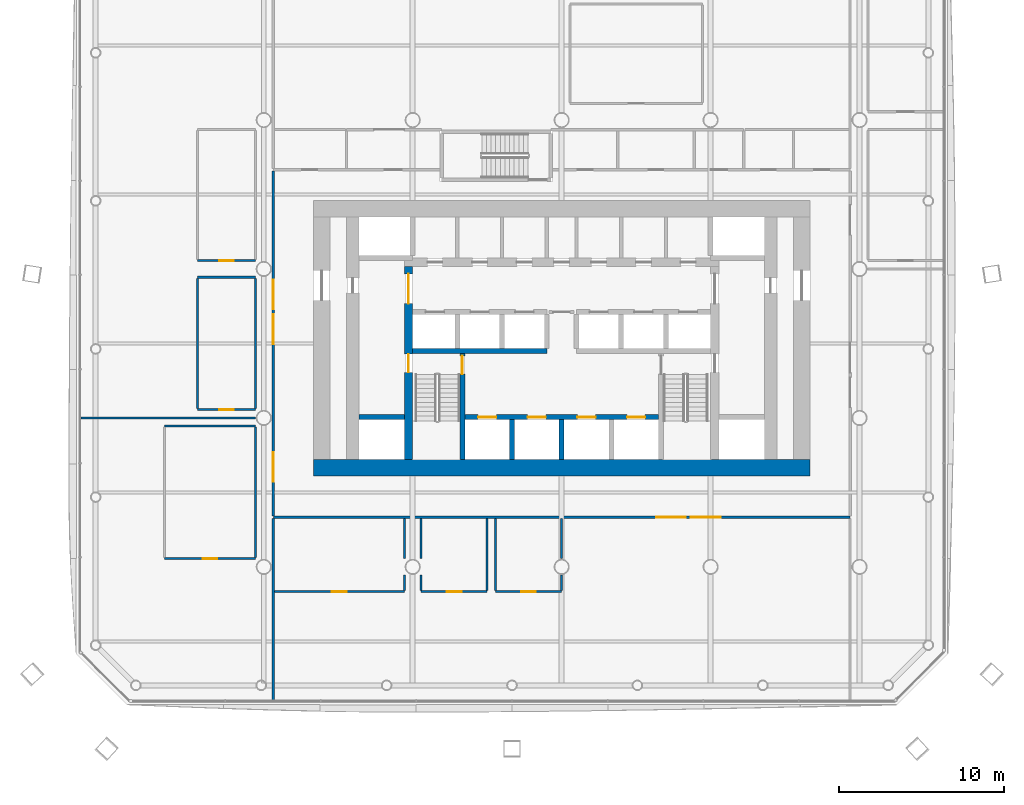
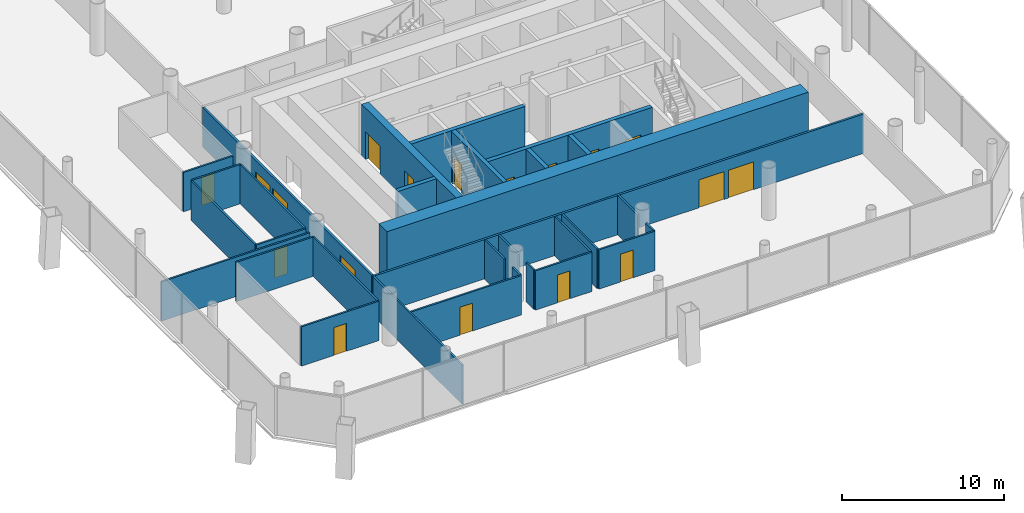
# One storey, part 12 of 20: 31 walls, 18 doors, 18 openings.
"""IFC4 building model written with IfcOpenShell, lengths in metres."""

from ifc_helpers import new_model, si_unit, direction, frame, frame_2d, origin, place, context, subcontext, project, spatial, rectangle, extrude, material, layer, layer_set, type_object, element, fill, save


model = new_model("IFC4")

# Units and contexts
model_context = context("Model", 3, precision=1e-05, world=origin(), true_north=direction((0.0, 1.0)))
body_context = subcontext(model_context, "Body", "Model", "MODEL_VIEW")
ifc_project = project(units=[si_unit("LENGTHUNIT", "METRE"), si_unit("AREAUNIT", "SQUARE_METRE"), si_unit("VOLUMEUNIT", "CUBIC_METRE"), si_unit("PLANEANGLEUNIT", "RADIAN"), si_unit("MASSUNIT", "GRAM", prefix="KILO")], contexts=[model_context])

# Site, building, storey
site_placement = place(None, origin())
site = spatial("IfcSite", under=ifc_project, at=site_placement, CompositionType="ELEMENT")
building_placement = place(site_placement, origin())
building = spatial("IfcBuilding", under=site, at=building_placement, Name="Tskaro Facet Tower", CompositionType="ELEMENT")
storey_placement = place(building_placement, frame((0.0, 0.0, 49.800048828125)))
storey = spatial("IfcBuildingStorey", under=building, at=storey_placement, Name="L11", CompositionType="ELEMENT", Elevation=49.800048828125)

# Wall
ifc_material_1 = material(Name="Concrete C60/75", Category="concrete")
ifc_layer_1 = layer(ifc_material_1, 0.300048828125, Name="Concrete C60/75")
ifc_layer_set_1 = layer_set([ifc_layer_1], Name="Concrete C60/75")
wall_type_1 = type_object("IfcWallType", Name="CORE-SHAFT", PredefinedType="SHEAR", material=ifc_layer_set_1)
wall_1_placement = place(storey_placement, frame((-12.25, -8.949951171875, 0.0), z_axis=(0.0, 0.0, 1.0), x_axis=(1.0, 0.0, 0.0)))
element("IfcWall", 1, at=wall_1_placement, inside=storey, type_object=wall_type_1, Name="Shaft wall W008", PredefinedType="SHEAR", context=body_context, shape_type="SweptSolid", body=[
    extrude(rectangle(XDim=2.75, YDim=0.300048828125, at=frame_2d((1.375, 0.0))), origin(), (0.0, 0.0, 1.0), 3.89990234375),
])

# Wall, openings, doors
wall_2_placement = place(storey_placement, frame((-5.85009765625, -8.949951171875, 0.0), z_axis=(0.0, 0.0, 1.0), x_axis=(1.0, 0.0, 0.0)))
wall_2 = element("IfcWall", 2, at=wall_2_placement, inside=storey, type_object=wall_type_1, Name="Shaft wall W009", PredefinedType="SHEAR", context=body_context, shape_type="SweptSolid", body=[
    extrude(rectangle(XDim=11.7001953125, YDim=0.300048828125, at=frame_2d((5.85009765625, 0.0))), origin(), (0.0, 0.0, 1.0), 3.89990234375),
])
opening_1_placement = place(wall_2_placement, frame((0.800048828125, 0.0, 0.0)))
opening_1 = element("IfcOpeningElement", 3, at=opening_1_placement, cuts=wall_2, Name="Opening LD-FF1", PredefinedType="OPENING", context=body_context, shape_type="SweptSolid", body=[
    extrude(rectangle(XDim=1.10009765625, YDim=2.10009765625, at=frame_2d((0.550048828125, 1.050048828125))), frame((0.0, 0.159912109375, 0.0), z_axis=(0.0, -1.0, 0.0), x_axis=(1.0, 0.0, 0.0)), (0.0, 0.0, 1.0), 0.320068359375),
])
opening_2_placement = place(wall_2_placement, frame((3.800048828125, 0.0, 0.0)))
opening_2 = element("IfcOpeningElement", 4, at=opening_2_placement, cuts=wall_2, Name="Opening LD-FF2", PredefinedType="OPENING", context=body_context, shape_type="SweptSolid", body=[
    extrude(rectangle(XDim=1.10009765625, YDim=2.10009765625, at=frame_2d((0.550048828125, 1.050048828125))), frame((0.0, 0.159912109375, 0.0), z_axis=(0.0, -1.0, 0.0), x_axis=(1.0, 0.0, 0.0)), (0.0, 0.0, 1.0), 0.320068359375),
])
opening_3_placement = place(wall_2_placement, frame((6.800048828125, 0.0, 0.0)))
opening_3 = element("IfcOpeningElement", 5, at=opening_3_placement, cuts=wall_2, Name="Opening LD-SV1", PredefinedType="OPENING", context=body_context, shape_type="SweptSolid", body=[
    extrude(rectangle(XDim=1.10009765625, YDim=2.10009765625, at=frame_2d((0.550048828125, 1.050048828125))), frame((0.0, 0.159912109375, 0.0), z_axis=(0.0, -1.0, 0.0), x_axis=(1.0, 0.0, 0.0)), (0.0, 0.0, 1.0), 0.320068359375),
])
opening_4_placement = place(wall_2_placement, frame((9.800048828125, 0.0, 0.0)))
opening_4 = element("IfcOpeningElement", 6, at=opening_4_placement, cuts=wall_2, Name="Opening LD-SV2", PredefinedType="OPENING", context=body_context, shape_type="SweptSolid", body=[
    extrude(rectangle(XDim=1.10009765625, YDim=2.10009765625, at=frame_2d((0.550048828125, 1.050048828125))), frame((0.0, 0.159912109375, 0.0), z_axis=(0.0, -1.0, 0.0), x_axis=(1.0, 0.0, 0.0)), (0.0, 0.0, 1.0), 0.320068359375),
])
ifc_material_2 = material(Name="Stainless steel", Category="steel")
door_type_1 = type_object("IfcDoorType", Name="D-LANDING", OperationType="NOTDEFINED", PredefinedType="DOOR", material=ifc_material_2)
door_1_placement = place(opening_1_placement, origin())
door_1 = element("IfcDoor", 7, at=door_1_placement, inside=storey, type_object=door_type_1, Name="Landing door FF1", OperationType="DOUBLE_DOOR_SLIDING", OverallHeight=2.10009765625, OverallWidth=1.10009765625, PredefinedType="DOOR", context=body_context, shape_type="SweptSolid", body=[
    extrude(rectangle(XDim=1.10009765625, YDim=2.10009765625, at=frame_2d((0.550048828125, 1.050048828125))), frame((0.0, 0.02490234375, 0.0), z_axis=(0.0, -1.0, 0.0), x_axis=(1.0, 0.0, 0.0)), (0.0, 0.0, 1.0), 0.050048828125),
])
fill(opening_1, door_1)
door_2_placement = place(opening_2_placement, origin())
door_2 = element("IfcDoor", 8, at=door_2_placement, inside=storey, type_object=door_type_1, Name="Landing door FF2", OperationType="DOUBLE_DOOR_SLIDING", OverallHeight=2.10009765625, OverallWidth=1.10009765625, PredefinedType="DOOR", context=body_context, shape_type="SweptSolid", body=[
    extrude(rectangle(XDim=1.10009765625, YDim=2.10009765625, at=frame_2d((0.550048828125, 1.050048828125))), frame((0.0, 0.02490234375, 0.0), z_axis=(0.0, -1.0, 0.0), x_axis=(1.0, 0.0, 0.0)), (0.0, 0.0, 1.0), 0.050048828125),
])
fill(opening_2, door_2)
door_3_placement = place(opening_3_placement, origin())
door_3 = element("IfcDoor", 9, at=door_3_placement, inside=storey, type_object=door_type_1, Name="Landing door SV1", OperationType="DOUBLE_DOOR_SLIDING", OverallHeight=2.10009765625, OverallWidth=1.10009765625, PredefinedType="DOOR", context=body_context, shape_type="SweptSolid", body=[
    extrude(rectangle(XDim=1.10009765625, YDim=2.10009765625, at=frame_2d((0.550048828125, 1.050048828125))), frame((0.0, 0.02490234375, 0.0), z_axis=(0.0, -1.0, 0.0), x_axis=(1.0, 0.0, 0.0)), (0.0, 0.0, 1.0), 0.050048828125),
])
fill(opening_3, door_3)
door_4_placement = place(opening_4_placement, origin())
door_4 = element("IfcDoor", 10, at=door_4_placement, inside=storey, type_object=door_type_1, Name="Landing door SV2", OperationType="DOUBLE_DOOR_SLIDING", OverallHeight=2.10009765625, OverallWidth=1.10009765625, PredefinedType="DOOR", context=body_context, shape_type="SweptSolid", body=[
    extrude(rectangle(XDim=1.10009765625, YDim=2.10009765625, at=frame_2d((0.550048828125, 1.050048828125))), frame((0.0, 0.02490234375, 0.0), z_axis=(0.0, -1.0, 0.0), x_axis=(1.0, 0.0, 0.0)), (0.0, 0.0, 1.0), 0.050048828125),
])
fill(opening_4, door_4)

# Wall
wall_3_placement = place(storey_placement, frame((-9.0, -4.949951171875, 0.0), z_axis=(0.0, 0.0, 1.0), x_axis=(1.0, 0.0, 0.0)))
element("IfcWall", 11, at=wall_3_placement, inside=storey, type_object=wall_type_1, Name="Shaft wall W012", PredefinedType="SHEAR", context=body_context, shape_type="SweptSolid", body=[
    extrude(rectangle(XDim=8.10009765625, YDim=0.300048828125, at=frame_2d((4.050048828125, 0.0))), origin(), (0.0, 0.0, 1.0), 3.89990234375),
])

# Wall, opening, door
wall_4_placement = place(storey_placement, frame((-6.0, -11.5, 0.0), z_axis=(0.0, 0.0, 1.0), x_axis=(0.0, 1.0, 0.0)))
wall_4 = element("IfcWall", 12, at=wall_4_placement, inside=storey, type_object=wall_type_1, Name="Shaft wall W055", PredefinedType="SHEAR", context=body_context, shape_type="SweptSolid", body=[
    extrude(rectangle(XDim=6.39990234375, YDim=0.300048828125, at=frame_2d((3.199951171875, 0.0))), origin(), (0.0, 0.0, 1.0), 3.89990234375),
])
opening_5_placement = place(wall_4_placement, frame((5.14990234375, 0.0, 0.0)))
opening_5 = element("IfcOpeningElement", 13, at=opening_5_placement, cuts=wall_4, Name="Opening ST-1-D1", PredefinedType="OPENING", context=body_context, shape_type="SweptSolid", body=[
    extrude(rectangle(XDim=1.10009765625, YDim=2.10009765625, at=frame_2d((0.550048828125, 1.050048828125))), frame((0.0, 0.159912109375, 0.0), z_axis=(0.0, -1.0, 0.0), x_axis=(1.0, 0.0, 0.0)), (0.0, 0.0, 1.0), 0.320068359375),
])
ifc_material_3 = material(Name="Steel", Category="steel")
door_type_2 = type_object("IfcDoorType", Name="D-STAIR", OperationType="NOTDEFINED", PredefinedType="DOOR", material=ifc_material_3)
door_5_placement = place(opening_5_placement, origin())
door_5 = element("IfcDoor", 14, at=door_5_placement, inside=storey, type_object=door_type_2, Name="Stair door 1", OperationType="SINGLE_SWING_LEFT", OverallHeight=2.10009765625, OverallWidth=1.10009765625, PredefinedType="DOOR", context=body_context, shape_type="SweptSolid", body=[
    extrude(rectangle(XDim=1.10009765625, YDim=2.10009765625, at=frame_2d((0.550048828125, 1.050048828125))), frame((0.0, 0.02490234375, 0.0), z_axis=(0.0, -1.0, 0.0), x_axis=(1.0, 0.0, 0.0)), (0.0, 0.0, 1.0), 0.050048828125),
])
fill(opening_5, door_5)

# Walls
for number, where, z_axis, x_axis, name in (
    (15, (-3.0, -11.5, 0.0), (0.0, 0.0, 1.0), (0.0, 1.0, 0.0), "Shaft wall W060"),
    (16, (0.0, -11.5, 0.0), (0.0, 0.0, 1.0), (0.0, 1.0, 0.0), "Shaft wall W066"),
):
    element("IfcWall", number, at=place(storey_placement, frame(where, z_axis=z_axis, x_axis=x_axis)), inside=storey, type_object=wall_type_1, Name=name, PredefinedType="SHEAR", context=body_context, shape_type="SweptSolid", body=[
        extrude(rectangle(XDim=2.39990234375, YDim=0.300048828125, at=frame_2d((1.199951171875, 0.0))), origin(), (0.0, 0.0, 1.0), 3.89990234375),
    ])
ifc_layer_2 = layer(ifc_material_1, 1.0, Name="Concrete C60/75")
ifc_layer_set_2 = layer_set([ifc_layer_2], Name="Concrete C60/75")
wall_type_2 = type_object("IfcWallType", Name="Core wall 1000", PredefinedType="SHEAR", material=ifc_layer_set_2)
wall_5_placement = place(storey_placement, frame((-15.0, -12.0, 0.0), z_axis=(0.0, 0.0, 1.0), x_axis=(1.0, 0.0, 0.0)))
element("IfcWall", 17, at=wall_5_placement, inside=storey, type_object=wall_type_2, Name="Core wall CW-Z1S", PredefinedType="SHEAR", context=body_context, shape_type="SweptSolid", body=[
    extrude(rectangle(XDim=30.0, YDim=1.0, at=frame_2d((15.0, 0.0))), origin(), (0.0, 0.0, 1.0), 3.89990234375),
])

# Wall, openings, doors
ifc_material_4 = material(Name="Concrete C40/50", Category="concrete")
ifc_layer_3 = layer(ifc_material_4, 0.5, Name="Concrete C40/50")
ifc_layer_set_3 = layer_set([ifc_layer_3], Name="Concrete C40/50")
wall_type_3 = type_object("IfcWallType", Name="Core wall 500", PredefinedType="SHEAR", material=ifc_layer_set_3)
wall_6_placement = place(storey_placement, frame((-9.25, -11.5, 0.0), z_axis=(0.0, 0.0, 1.0), x_axis=(0.0, 1.0, 0.0)))
wall_6 = element("IfcWall", 18, at=wall_6_placement, inside=storey, type_object=wall_type_3, Name="Core wall CW-Z3W", PredefinedType="SHEAR", context=body_context, shape_type="SweptSolid", body=[
    extrude(rectangle(XDim=11.64990234375, YDim=0.5, at=frame_2d((5.824951171875, 0.0))), origin(), (0.0, 0.0, 1.0), 3.89990234375),
])
opening_6_placement = place(wall_6_placement, frame((9.39990234375, 0.0, 0.0)))
opening_6 = element("IfcOpeningElement", 19, at=opening_6_placement, cuts=wall_6, Name="Opening T3-D15", PredefinedType="OPENING", context=body_context, shape_type="SweptSolid", body=[
    extrude(rectangle(XDim=1.800048828125, YDim=2.10009765625, at=frame_2d((0.89990234375, 1.050048828125))), frame((0.0, 0.260009765625, 0.0), z_axis=(0.0, -1.0, 0.0), x_axis=(1.0, 0.0, 0.0)), (0.0, 0.0, 1.0), 0.52001953125),
])
opening_7_placement = place(wall_6_placement, frame((5.25, 0.0, 0.0)))
opening_7 = element("IfcOpeningElement", 20, at=opening_7_placement, cuts=wall_6, Name="Opening ST-1-D2", PredefinedType="OPENING", context=body_context, shape_type="SweptSolid", body=[
    extrude(rectangle(XDim=1.10009765625, YDim=2.10009765625, at=frame_2d((0.550048828125, 1.050048828125))), frame((0.0, 0.260009765625, 0.0), z_axis=(0.0, -1.0, 0.0), x_axis=(1.0, 0.0, 0.0)), (0.0, 0.0, 1.0), 0.52001953125),
])
door_type_3 = type_object("IfcDoorType", Name="D-CORE-PAIR", OperationType="NOTDEFINED", PredefinedType="DOOR", material=ifc_material_3)
door_6_placement = place(opening_6_placement, origin())
door_6 = element("IfcDoor", 21, at=door_6_placement, inside=storey, type_object=door_type_3, Name="Door T3-D15", OperationType="DOUBLE_DOOR_SINGLE_SWING", OverallHeight=2.10009765625, OverallWidth=1.800048828125, PredefinedType="DOOR", context=body_context, shape_type="SweptSolid", body=[
    extrude(rectangle(XDim=1.800048828125, YDim=2.10009765625, at=frame_2d((0.89990234375, 1.050048828125))), frame((0.0, 0.02490234375, 0.0), z_axis=(0.0, -1.0, 0.0), x_axis=(1.0, 0.0, 0.0)), (0.0, 0.0, 1.0), 0.050048828125),
])
fill(opening_6, door_6)
door_7_placement = place(opening_7_placement, origin())
door_7 = element("IfcDoor", 22, at=door_7_placement, inside=storey, type_object=door_type_2, Name="Stair door 1 west", OperationType="SINGLE_SWING_LEFT", OverallHeight=2.10009765625, OverallWidth=1.10009765625, PredefinedType="DOOR", context=body_context, shape_type="SweptSolid", body=[
    extrude(rectangle(XDim=1.10009765625, YDim=2.10009765625, at=frame_2d((0.550048828125, 1.050048828125))), frame((0.0, 0.02490234375, 0.0), z_axis=(0.0, -1.0, 0.0), x_axis=(1.0, 0.0, 0.0)), (0.0, 0.0, 1.0), 0.050048828125),
])
fill(opening_7, door_7)

# Wall, opening, door
ifc_material_5 = material(Name="Gypsum board on steel studs", Category="steel")
ifc_layer_4 = layer(ifc_material_5, 0.125, Name="Gypsum board on steel studs")
ifc_layer_set_4 = layer_set([ifc_layer_4], Name="Gypsum board on steel studs")
wall_type_4 = type_object("IfcWallType", Name="PART", PredefinedType="PARTITIONING", material=ifc_layer_set_4)
wall_7_placement = place(storey_placement, frame((-17.362548828125, -19.5, 0.0), z_axis=(0.0, 0.0, 1.0), x_axis=(1.0, 0.0, 0.0)))
wall_7 = element("IfcWall", 23, at=wall_7_placement, inside=storey, type_object=wall_type_4, Name="Partition W001", PredefinedType="PARTITIONING", context=body_context, shape_type="SweptSolid", body=[
    extrude(rectangle(XDim=7.862548828125, YDim=0.125, at=frame_2d((3.93115234375, 0.0))), origin(), (0.0, 0.0, 1.0), 2.9599609375),
])
opening_8_placement = place(wall_7_placement, frame((3.481201171875, 0.0, 0.0)))
opening_8 = element("IfcOpeningElement", 24, at=opening_8_placement, cuts=wall_7, Name="Opening T3-D01", PredefinedType="OPENING", context=body_context, shape_type="SweptSolid", body=[
    extrude(rectangle(XDim=0.89990234375, YDim=2.10009765625, at=frame_2d((0.449951171875, 1.050048828125))), frame((0.0, 0.072509765625, 0.0), z_axis=(0.0, -1.0, 0.0), x_axis=(1.0, 0.0, 0.0)), (0.0, 0.0, 1.0), 0.14501953125),
])
ifc_material_6 = material(Name="Timber", Category="wood")
door_type_4 = type_object("IfcDoorType", Name="D-ROOM", OperationType="NOTDEFINED", PredefinedType="DOOR", material=ifc_material_6)
door_8_placement = place(opening_8_placement, origin())
door_8 = element("IfcDoor", 25, at=door_8_placement, inside=storey, type_object=door_type_4, Name="Door T3-D01", OperationType="SINGLE_SWING_LEFT", OverallHeight=2.10009765625, OverallWidth=0.89990234375, PredefinedType="DOOR", context=body_context, shape_type="SweptSolid", body=[
    extrude(rectangle(XDim=0.89990234375, YDim=2.10009765625, at=frame_2d((0.449951171875, 1.050048828125))), frame((0.0, 0.02490234375, 0.0), z_axis=(0.0, -1.0, 0.0), x_axis=(1.0, 0.0, 0.0)), (0.0, 0.0, 1.0), 0.050048828125),
])
fill(opening_8, door_8)

wall_8_placement = place(storey_placement, frame((-8.5, -19.5, 0.0), z_axis=(0.0, 0.0, 1.0), x_axis=(1.0, 0.0, 0.0)))
wall_8 = element("IfcWall", 26, at=wall_8_placement, inside=storey, type_object=wall_type_4, Name="Partition W002", PredefinedType="PARTITIONING", context=body_context, shape_type="SweptSolid", body=[
    extrude(rectangle(XDim=4.0, YDim=0.125, at=frame_2d((2.0, 0.0))), origin(), (0.0, 0.0, 1.0), 2.9599609375),
])
opening_9_placement = place(wall_8_placement, frame((1.550048828125, 0.0, 0.0)))
opening_9 = element("IfcOpeningElement", 27, at=opening_9_placement, cuts=wall_8, Name="Opening T3-D02", PredefinedType="OPENING", context=body_context, shape_type="SweptSolid", body=[
    extrude(rectangle(XDim=0.89990234375, YDim=2.10009765625, at=frame_2d((0.449951171875, 1.050048828125))), frame((0.0, 0.072509765625, 0.0), z_axis=(0.0, -1.0, 0.0), x_axis=(1.0, 0.0, 0.0)), (0.0, 0.0, 1.0), 0.14501953125),
])
door_9_placement = place(opening_9_placement, origin())
door_9 = element("IfcDoor", 28, at=door_9_placement, inside=storey, type_object=door_type_4, Name="Door T3-D02", OperationType="SINGLE_SWING_LEFT", OverallHeight=2.10009765625, OverallWidth=0.89990234375, PredefinedType="DOOR", context=body_context, shape_type="SweptSolid", body=[
    extrude(rectangle(XDim=0.89990234375, YDim=2.10009765625, at=frame_2d((0.449951171875, 1.050048828125))), frame((0.0, 0.02490234375, 0.0), z_axis=(0.0, -1.0, 0.0), x_axis=(1.0, 0.0, 0.0)), (0.0, 0.0, 1.0), 0.050048828125),
])
fill(opening_9, door_9)

wall_9_placement = place(storey_placement, frame((-4.0, -19.5, 0.0), z_axis=(0.0, 0.0, 1.0), x_axis=(1.0, 0.0, 0.0)))
wall_9 = element("IfcWall", 29, at=wall_9_placement, inside=storey, type_object=wall_type_4, Name="Partition W003", PredefinedType="PARTITIONING", context=body_context, shape_type="SweptSolid", body=[
    extrude(rectangle(XDim=4.0, YDim=0.125, at=frame_2d((2.0, 0.0))), origin(), (0.0, 0.0, 1.0), 2.9599609375),
])
opening_10_placement = place(wall_9_placement, frame((1.550048828125, 0.0, 0.0)))
opening_10 = element("IfcOpeningElement", 30, at=opening_10_placement, cuts=wall_9, Name="Opening T3-D03", PredefinedType="OPENING", context=body_context, shape_type="SweptSolid", body=[
    extrude(rectangle(XDim=0.89990234375, YDim=2.10009765625, at=frame_2d((0.449951171875, 1.050048828125))), frame((0.0, 0.072509765625, 0.0), z_axis=(0.0, -1.0, 0.0), x_axis=(1.0, 0.0, 0.0)), (0.0, 0.0, 1.0), 0.14501953125),
])
door_10_placement = place(opening_10_placement, origin())
door_10 = element("IfcDoor", 31, at=door_10_placement, inside=storey, type_object=door_type_4, Name="Door T3-D03", OperationType="SINGLE_SWING_LEFT", OverallHeight=2.10009765625, OverallWidth=0.89990234375, PredefinedType="DOOR", context=body_context, shape_type="SweptSolid", body=[
    extrude(rectangle(XDim=0.89990234375, YDim=2.10009765625, at=frame_2d((0.449951171875, 1.050048828125))), frame((0.0, 0.02490234375, 0.0), z_axis=(0.0, -1.0, 0.0), x_axis=(1.0, 0.0, 0.0)), (0.0, 0.0, 1.0), 0.050048828125),
])
fill(opening_10, door_10)

wall_10_placement = place(storey_placement, frame((-24.0, -17.5, 0.0), z_axis=(0.0, 0.0, 1.0), x_axis=(1.0, 0.0, 0.0)))
wall_10 = element("IfcWall", 32, at=wall_10_placement, inside=storey, type_object=wall_type_4, Name="Partition W004", PredefinedType="PARTITIONING", context=body_context, shape_type="SweptSolid", body=[
    extrude(rectangle(XDim=5.5, YDim=0.125, at=frame_2d((2.75, 0.0))), origin(), (0.0, 0.0, 1.0), 2.9599609375),
])
opening_11_placement = place(wall_10_placement, frame((2.300048828125, 0.0, 0.0)))
opening_11 = element("IfcOpeningElement", 33, at=opening_11_placement, cuts=wall_10, Name="Opening T3-D04", PredefinedType="OPENING", context=body_context, shape_type="SweptSolid", body=[
    extrude(rectangle(XDim=0.89990234375, YDim=2.10009765625, at=frame_2d((0.449951171875, 1.050048828125))), frame((0.0, 0.072509765625, 0.0), z_axis=(0.0, -1.0, 0.0), x_axis=(1.0, 0.0, 0.0)), (0.0, 0.0, 1.0), 0.14501953125),
])
door_11_placement = place(opening_11_placement, origin())
door_11 = element("IfcDoor", 34, at=door_11_placement, inside=storey, type_object=door_type_4, Name="Door T3-D04", OperationType="SINGLE_SWING_LEFT", OverallHeight=2.10009765625, OverallWidth=0.89990234375, PredefinedType="DOOR", context=body_context, shape_type="SweptSolid", body=[
    extrude(rectangle(XDim=0.89990234375, YDim=2.10009765625, at=frame_2d((0.449951171875, 1.050048828125))), frame((0.0, 0.02490234375, 0.0), z_axis=(0.0, -1.0, 0.0), x_axis=(1.0, 0.0, 0.0)), (0.0, 0.0, 1.0), 0.050048828125),
])
fill(opening_11, door_11)

# Walls
wall_11_placement = place(storey_placement, frame((-24.0, -9.5, 0.0), z_axis=(0.0, 0.0, 1.0), x_axis=(1.0, 0.0, 0.0)))
element("IfcWall", 35, at=wall_11_placement, inside=storey, type_object=wall_type_4, Name="Partition W006", PredefinedType="PARTITIONING", context=body_context, shape_type="SweptSolid", body=[
    extrude(rectangle(XDim=5.5, YDim=0.125, at=frame_2d((2.75, 0.0))), origin(), (0.0, 0.0, 1.0), 2.9599609375),
])
wall_12_placement = place(storey_placement, frame((-29.056884765625, -9.0, 0.0), z_axis=(0.0, 0.0, 1.0), x_axis=(1.0, 0.0, 0.0)))
element("IfcWall", 36, at=wall_12_placement, inside=storey, type_object=wall_type_4, Name="Partition W007", PredefinedType="PARTITIONING", context=body_context, shape_type="SweptSolid", body=[
    extrude(rectangle(XDim=10.556884765625, YDim=0.125, at=frame_2d((5.2783203125, 0.0))), origin(), (0.0, 0.0, 1.0), 2.9599609375),
])

# Wall, opening, door
wall_13_placement = place(storey_placement, frame((-22.0, -8.5, 0.0), z_axis=(0.0, 0.0, 1.0), x_axis=(1.0, 0.0, 0.0)))
wall_13 = element("IfcWall", 37, at=wall_13_placement, inside=storey, type_object=wall_type_4, Name="Partition W011", PredefinedType="PARTITIONING", context=body_context, shape_type="SweptSolid", body=[
    extrude(rectangle(XDim=3.5, YDim=0.125, at=frame_2d((1.75, 0.0))), origin(), (0.0, 0.0, 1.0), 2.9599609375),
])
opening_12_placement = place(wall_13_placement, frame((1.300048828125, 0.0, 0.0)))
opening_12 = element("IfcOpeningElement", 38, at=opening_12_placement, cuts=wall_13, Name="Opening T3-D10", PredefinedType="OPENING", context=body_context, shape_type="SweptSolid", body=[
    extrude(rectangle(XDim=0.89990234375, YDim=2.10009765625, at=frame_2d((0.449951171875, 1.050048828125))), frame((0.0, 0.072509765625, 0.0), z_axis=(0.0, -1.0, 0.0), x_axis=(1.0, 0.0, 0.0)), (0.0, 0.0, 1.0), 0.14501953125),
])
door_12_placement = place(opening_12_placement, origin())
door_12 = element("IfcDoor", 39, at=door_12_placement, inside=storey, type_object=door_type_4, Name="Door T3-D10", OperationType="SINGLE_SWING_LEFT", OverallHeight=2.10009765625, OverallWidth=0.89990234375, PredefinedType="DOOR", context=body_context, shape_type="SweptSolid", body=[
    extrude(rectangle(XDim=0.89990234375, YDim=2.10009765625, at=frame_2d((0.449951171875, 1.050048828125))), frame((0.0, 0.02490234375, 0.0), z_axis=(0.0, -1.0, 0.0), x_axis=(1.0, 0.0, 0.0)), (0.0, 0.0, 1.0), 0.050048828125),
])
fill(opening_12, door_12)

# Wall
wall_14_placement = place(storey_placement, frame((-22.0, -0.5, 0.0), z_axis=(0.0, 0.0, 1.0), x_axis=(1.0, 0.0, 0.0)))
element("IfcWall", 40, at=wall_14_placement, inside=storey, type_object=wall_type_4, Name="Partition W017", PredefinedType="PARTITIONING", context=body_context, shape_type="SweptSolid", body=[
    extrude(rectangle(XDim=3.5, YDim=0.125, at=frame_2d((1.75, 0.0))), origin(), (0.0, 0.0, 1.0), 2.9599609375),
])

# Wall, opening, door
wall_15_placement = place(storey_placement, frame((-22.0, 0.5, 0.0), z_axis=(0.0, 0.0, 1.0), x_axis=(1.0, 0.0, 0.0)))
wall_15 = element("IfcWall", 41, at=wall_15_placement, inside=storey, type_object=wall_type_4, Name="Partition W019", PredefinedType="PARTITIONING", context=body_context, shape_type="SweptSolid", body=[
    extrude(rectangle(XDim=3.5, YDim=0.125, at=frame_2d((1.75, 0.0))), origin(), (0.0, 0.0, 1.0), 2.9599609375),
])
opening_13_placement = place(wall_15_placement, frame((1.300048828125, 0.0, 0.0)))
opening_13 = element("IfcOpeningElement", 42, at=opening_13_placement, cuts=wall_15, Name="Opening T3-D28", PredefinedType="OPENING", context=body_context, shape_type="SweptSolid", body=[
    extrude(rectangle(XDim=0.89990234375, YDim=2.10009765625, at=frame_2d((0.449951171875, 1.050048828125))), frame((0.0, 0.072509765625, 0.0), z_axis=(0.0, -1.0, 0.0), x_axis=(1.0, 0.0, 0.0)), (0.0, 0.0, 1.0), 0.14501953125),
])
door_13_placement = place(opening_13_placement, origin())
door_13 = element("IfcDoor", 43, at=door_13_placement, inside=storey, type_object=door_type_4, Name="Door T3-D28", OperationType="SINGLE_SWING_LEFT", OverallHeight=2.10009765625, OverallWidth=0.89990234375, PredefinedType="DOOR", context=body_context, shape_type="SweptSolid", body=[
    extrude(rectangle(XDim=0.89990234375, YDim=2.10009765625, at=frame_2d((0.449951171875, 1.050048828125))), frame((0.0, 0.02490234375, 0.0), z_axis=(0.0, -1.0, 0.0), x_axis=(1.0, 0.0, 0.0)), (0.0, 0.0, 1.0), 0.050048828125),
])
fill(opening_13, door_13)

# Walls
for number, where, z_axis, x_axis, name in (
    (44, (-22.0, -8.4375, 0.0), (0.0, 0.0, 1.0), (0.0, 1.0, 0.0), "Partition W038"),
    (45, (-18.5, -17.4375, 0.0), (0.0, 0.0, 1.0), (0.0, 1.0, 0.0), "Partition W040"),
    (46, (-18.5, -8.4375, 0.0), (0.0, 0.0, 1.0), (0.0, 1.0, 0.0), "Partition W041"),
):
    element("IfcWall", number, at=place(storey_placement, frame(where, z_axis=z_axis, x_axis=x_axis)), inside=storey, type_object=wall_type_4, Name=name, PredefinedType="PARTITIONING", context=body_context, shape_type="SweptSolid", body=[
        extrude(rectangle(XDim=7.875, YDim=0.125, at=frame_2d((3.9375, 0.0))), origin(), (0.0, 0.0, 1.0), 2.9599609375),
    ])
wall_16_placement = place(storey_placement, frame((-17.425048828125, -26.056884765625, 0.0), z_axis=(0.0, 0.0, 1.0), x_axis=(0.0, 1.0, 0.0)))
element("IfcWall", 47, at=wall_16_placement, inside=storey, type_object=wall_type_4, Name="Partition W043", PredefinedType="PARTITIONING", context=body_context, shape_type="SweptSolid", body=[
    extrude(rectangle(XDim=10.98193359375, YDim=0.125, at=frame_2d((5.490966796875, 0.0))), origin(), (0.0, 0.0, 1.0), 2.9599609375),
])
wall_17_placement = place(storey_placement, frame((-9.5, -19.4375, 0.0), z_axis=(0.0, 0.0, 1.0), x_axis=(0.0, 1.0, 0.0)))
element("IfcWall", 48, at=wall_17_placement, inside=storey, type_object=wall_type_4, Name="Partition W047", PredefinedType="PARTITIONING", context=body_context, shape_type="SweptSolid", body=[
    extrude(rectangle(XDim=0.9375, YDim=0.125, at=frame_2d((0.46875, 0.0))), origin(), (0.0, 0.0, 1.0), 2.9599609375),
])
wall_18_placement = place(storey_placement, frame((-9.5, -17.5, 0.0), z_axis=(0.0, 0.0, 1.0), x_axis=(0.0, 1.0, 0.0)))
element("IfcWall", 49, at=wall_18_placement, inside=storey, type_object=wall_type_4, Name="Partition W048", PredefinedType="PARTITIONING", context=body_context, shape_type="SweptSolid", body=[
    extrude(rectangle(XDim=2.425048828125, YDim=0.125, at=frame_2d((1.21240234375, 0.0))), origin(), (0.0, 0.0, 1.0), 2.9599609375),
])
wall_19_placement = place(storey_placement, frame((-8.5, -19.4375, 0.0), z_axis=(0.0, 0.0, 1.0), x_axis=(0.0, 1.0, 0.0)))
element("IfcWall", 50, at=wall_19_placement, inside=storey, type_object=wall_type_4, Name="Partition W050", PredefinedType="PARTITIONING", context=body_context, shape_type="SweptSolid", body=[
    extrude(rectangle(XDim=0.9375, YDim=0.125, at=frame_2d((0.46875, 0.0))), origin(), (0.0, 0.0, 1.0), 2.9599609375),
])
wall_20_placement = place(storey_placement, frame((-8.5, -17.5, 0.0), z_axis=(0.0, 0.0, 1.0), x_axis=(0.0, 1.0, 0.0)))
element("IfcWall", 51, at=wall_20_placement, inside=storey, type_object=wall_type_4, Name="Partition W051", PredefinedType="PARTITIONING", context=body_context, shape_type="SweptSolid", body=[
    extrude(rectangle(XDim=2.425048828125, YDim=0.125, at=frame_2d((1.21240234375, 0.0))), origin(), (0.0, 0.0, 1.0), 2.9599609375),
])
for number, where, z_axis, x_axis, name in (
    (52, (-4.5, -19.4375, 0.0), (0.0, 0.0, 1.0), (0.0, 1.0, 0.0), "Partition W056"),
    (53, (-4.0, -19.4375, 0.0), (0.0, 0.0, 1.0), (0.0, 1.0, 0.0), "Partition W057"),
):
    element("IfcWall", number, at=place(storey_placement, frame(where, z_axis=z_axis, x_axis=x_axis)), inside=storey, type_object=wall_type_4, Name=name, PredefinedType="PARTITIONING", context=body_context, shape_type="SweptSolid", body=[
        extrude(rectangle(XDim=4.362548828125, YDim=0.125, at=frame_2d((2.18115234375, 0.0))), origin(), (0.0, 0.0, 1.0), 2.9599609375),
    ])
wall_21_placement = place(storey_placement, frame((0.0, -19.4375, 0.0), z_axis=(0.0, 0.0, 1.0), x_axis=(0.0, 1.0, 0.0)))
element("IfcWall", 54, at=wall_21_placement, inside=storey, type_object=wall_type_4, Name="Partition W064", PredefinedType="PARTITIONING", context=body_context, shape_type="SweptSolid", body=[
    extrude(rectangle(XDim=0.9375, YDim=0.125, at=frame_2d((0.46875, 0.0))), origin(), (0.0, 0.0, 1.0), 2.9599609375),
])
wall_22_placement = place(storey_placement, frame((0.0, -17.5, 0.0), z_axis=(0.0, 0.0, 1.0), x_axis=(0.0, 1.0, 0.0)))
element("IfcWall", 55, at=wall_22_placement, inside=storey, type_object=wall_type_4, Name="Partition W065", PredefinedType="PARTITIONING", context=body_context, shape_type="SweptSolid", body=[
    extrude(rectangle(XDim=2.425048828125, YDim=0.125, at=frame_2d((1.21240234375, 0.0))), origin(), (0.0, 0.0, 1.0), 2.9599609375),
])

# Wall, openings, doors
ifc_layer_5 = layer(ifc_material_5, 0.14990234375, Name="Gypsum board on steel studs")
ifc_layer_set_5 = layer_set([ifc_layer_5], Name="Gypsum board on steel studs")
wall_type_5 = type_object("IfcWallType", Name="PART-CORR", PredefinedType="PARTITIONING", material=ifc_layer_set_5)
wall_23_placement = place(storey_placement, frame((-17.425048828125, -15.0, 0.0), z_axis=(0.0, 0.0, 1.0), x_axis=(1.0, 0.0, 0.0)))
wall_23 = element("IfcWall", 56, at=wall_23_placement, inside=storey, type_object=wall_type_5, Name="Corridor wall W005", PredefinedType="PARTITIONING", context=body_context, shape_type="SweptSolid", body=[
    extrude(rectangle(XDim=34.85009765625, YDim=0.14990234375, at=frame_2d((17.425048828125, 0.0))), origin(), (0.0, 0.0, 1.0), 2.9599609375),
])
opening_14_placement = place(wall_23_placement, frame((25.237548828125, 0.0, 0.0)))
opening_14 = element("IfcOpeningElement", 57, at=opening_14_placement, cuts=wall_23, Name="Opening T3-D06", PredefinedType="OPENING", context=body_context, shape_type="SweptSolid", body=[
    extrude(rectangle(XDim=1.800048828125, YDim=2.10009765625, at=frame_2d((0.89990234375, 1.050048828125))), frame((0.0, 0.0849609375, 0.0), z_axis=(0.0, -1.0, 0.0), x_axis=(1.0, 0.0, 0.0)), (0.0, 0.0, 1.0), 0.169921875),
])
opening_15_placement = place(wall_23_placement, frame((23.137451171875, 0.0, 0.0)))
opening_15 = element("IfcOpeningElement", 58, at=opening_15_placement, cuts=wall_23, Name="Opening T3-D05", PredefinedType="OPENING", context=body_context, shape_type="SweptSolid", body=[
    extrude(rectangle(XDim=1.800048828125, YDim=2.10009765625, at=frame_2d((0.89990234375, 1.050048828125))), frame((0.0, 0.0849609375, 0.0), z_axis=(0.0, -1.0, 0.0), x_axis=(1.0, 0.0, 0.0)), (0.0, 0.0, 1.0), 0.169921875),
])
ifc_material_7 = material(Name="Glass", Category="glass")
door_type_5 = type_object("IfcDoorType", Name="D-ENTRY-PAIR", OperationType="NOTDEFINED", PredefinedType="DOOR", material=ifc_material_7)
door_14_placement = place(opening_14_placement, origin())
door_14 = element("IfcDoor", 59, at=door_14_placement, inside=storey, type_object=door_type_5, Name="Door T3-D06", OperationType="DOUBLE_DOOR_SINGLE_SWING", OverallHeight=2.10009765625, OverallWidth=1.800048828125, PredefinedType="DOOR", context=body_context, shape_type="SweptSolid", body=[
    extrude(rectangle(XDim=1.800048828125, YDim=2.10009765625, at=frame_2d((0.89990234375, 1.050048828125))), frame((0.0, 0.02490234375, 0.0), z_axis=(0.0, -1.0, 0.0), x_axis=(1.0, 0.0, 0.0)), (0.0, 0.0, 1.0), 0.050048828125),
])
fill(opening_14, door_14)
door_15_placement = place(opening_15_placement, origin())
door_15 = element("IfcDoor", 60, at=door_15_placement, inside=storey, type_object=door_type_5, Name="Door T3-D05", OperationType="DOUBLE_DOOR_SINGLE_SWING", OverallHeight=2.10009765625, OverallWidth=1.800048828125, PredefinedType="DOOR", context=body_context, shape_type="SweptSolid", body=[
    extrude(rectangle(XDim=1.800048828125, YDim=2.10009765625, at=frame_2d((0.89990234375, 1.050048828125))), frame((0.0, 0.02490234375, 0.0), z_axis=(0.0, -1.0, 0.0), x_axis=(1.0, 0.0, 0.0)), (0.0, 0.0, 1.0), 0.050048828125),
])
fill(opening_15, door_15)

wall_24_placement = place(storey_placement, frame((-17.425048828125, 5.925048828125, 0.0), z_axis=(0.0, 0.0, 1.0), x_axis=(0.0, -1.0, 0.0)))
wall_24 = element("IfcWall", 61, at=wall_24_placement, inside=storey, type_object=wall_type_5, Name="Corridor wall W044", PredefinedType="PARTITIONING", context=body_context, shape_type="SweptSolid", body=[
    extrude(rectangle(XDim=20.85009765625, YDim=0.14990234375, at=frame_2d((10.425048828125, 0.0))), origin(), (0.0, 0.0, 1.0), 2.9599609375),
])
opening_16_placement = place(wall_24_placement, frame((16.987548828125, 0.0, 0.0)))
opening_16 = element("IfcOpeningElement", 62, at=opening_16_placement, cuts=wall_24, Name="Opening T3-D07", PredefinedType="OPENING", context=body_context, shape_type="SweptSolid", body=[
    extrude(rectangle(XDim=1.800048828125, YDim=2.10009765625, at=frame_2d((0.89990234375, 1.050048828125))), frame((0.0, 0.0849609375, 0.0), z_axis=(0.0, -1.0, 0.0), x_axis=(1.0, 0.0, 0.0)), (0.0, 0.0, 1.0), 0.169921875),
])
opening_17_placement = place(wall_24_placement, frame((6.5625, 0.0, 0.0)))
opening_17 = element("IfcOpeningElement", 63, at=opening_17_placement, cuts=wall_24, Name="Opening T3-D14", PredefinedType="OPENING", context=body_context, shape_type="SweptSolid", body=[
    extrude(rectangle(XDim=1.800048828125, YDim=2.10009765625, at=frame_2d((0.89990234375, 1.050048828125))), frame((0.0, 0.0849609375, 0.0), z_axis=(0.0, -1.0, 0.0), x_axis=(1.0, 0.0, 0.0)), (0.0, 0.0, 1.0), 0.169921875),
])
opening_18_placement = place(wall_24_placement, frame((8.66259765625, 0.0, 0.0)))
opening_18 = element("IfcOpeningElement", 64, at=opening_18_placement, cuts=wall_24, Name="Opening T3-D13", PredefinedType="OPENING", context=body_context, shape_type="SweptSolid", body=[
    extrude(rectangle(XDim=1.800048828125, YDim=2.10009765625, at=frame_2d((0.89990234375, 1.050048828125))), frame((0.0, 0.0849609375, 0.0), z_axis=(0.0, -1.0, 0.0), x_axis=(1.0, 0.0, 0.0)), (0.0, 0.0, 1.0), 0.169921875),
])
door_16_placement = place(opening_16_placement, origin())
door_16 = element("IfcDoor", 65, at=door_16_placement, inside=storey, type_object=door_type_5, Name="Door T3-D07", OperationType="DOUBLE_DOOR_SINGLE_SWING", OverallHeight=2.10009765625, OverallWidth=1.800048828125, PredefinedType="DOOR", context=body_context, shape_type="SweptSolid", body=[
    extrude(rectangle(XDim=1.800048828125, YDim=2.10009765625, at=frame_2d((0.89990234375, 1.050048828125))), frame((0.0, 0.02490234375, 0.0), z_axis=(0.0, -1.0, 0.0), x_axis=(1.0, 0.0, 0.0)), (0.0, 0.0, 1.0), 0.050048828125),
])
fill(opening_16, door_16)
door_17_placement = place(opening_17_placement, origin())
door_17 = element("IfcDoor", 66, at=door_17_placement, inside=storey, type_object=door_type_5, Name="Door T3-D14", OperationType="DOUBLE_DOOR_SINGLE_SWING", OverallHeight=2.10009765625, OverallWidth=1.800048828125, PredefinedType="DOOR", context=body_context, shape_type="SweptSolid", body=[
    extrude(rectangle(XDim=1.800048828125, YDim=2.10009765625, at=frame_2d((0.89990234375, 1.050048828125))), frame((0.0, 0.02490234375, 0.0), z_axis=(0.0, -1.0, 0.0), x_axis=(1.0, 0.0, 0.0)), (0.0, 0.0, 1.0), 0.050048828125),
])
fill(opening_17, door_17)
door_18_placement = place(opening_18_placement, origin())
door_18 = element("IfcDoor", 67, at=door_18_placement, inside=storey, type_object=door_type_5, Name="Door T3-D13", OperationType="DOUBLE_DOOR_SINGLE_SWING", OverallHeight=2.10009765625, OverallWidth=1.800048828125, PredefinedType="DOOR", context=body_context, shape_type="SweptSolid", body=[
    extrude(rectangle(XDim=1.800048828125, YDim=2.10009765625, at=frame_2d((0.89990234375, 1.050048828125))), frame((0.0, 0.02490234375, 0.0), z_axis=(0.0, -1.0, 0.0), x_axis=(1.0, 0.0, 0.0)), (0.0, 0.0, 1.0), 0.050048828125),
])
fill(opening_18, door_18)

save(model, "model.ifc")
